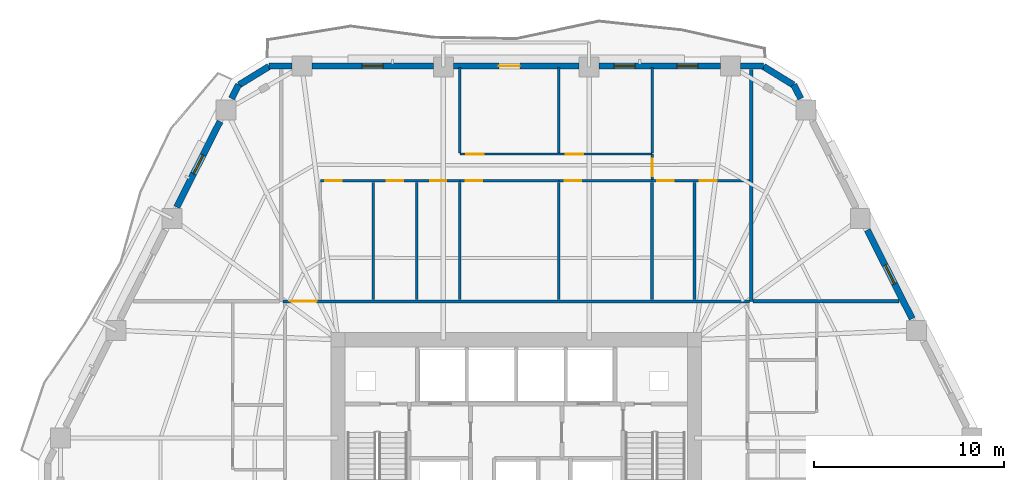
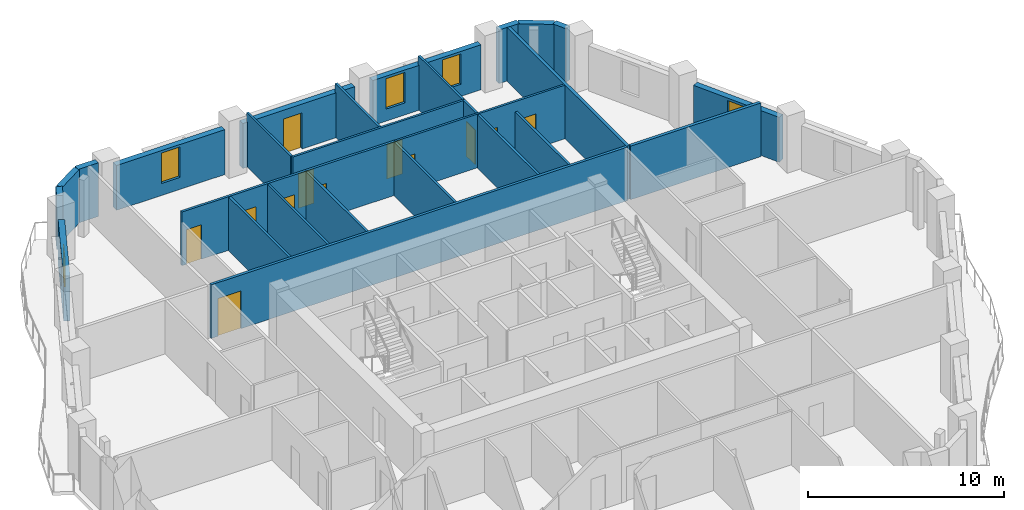
# One storey, part 7 of 12: 28 walls, 12 doors, 5 windows, 17 openings.
"""IFC4 building model written with IfcOpenShell, lengths in metres."""

from ifc_helpers import new_model, si_unit, direction, frame, frame_2d, origin, place, context, subcontext, project, spatial, rectangle, extrude, material, layer, layer_set, type_object, element, fill, save


model = new_model("IFC4")

# Units and contexts
model_context = context("Model", 3, precision=1e-05, world=origin(), true_north=direction((0.0, 1.0)))
body_context = subcontext(model_context, "Body", "Model", "MODEL_VIEW")
ifc_project = project(units=[si_unit("LENGTHUNIT", "METRE"), si_unit("AREAUNIT", "SQUARE_METRE"), si_unit("VOLUMEUNIT", "CUBIC_METRE"), si_unit("PLANEANGLEUNIT", "RADIAN"), si_unit("MASSUNIT", "GRAM", prefix="KILO")], contexts=[model_context])

# Site, building, storey
site_placement = place(None, origin())
site = spatial("IfcSite", under=ifc_project, at=site_placement, CompositionType="ELEMENT")
building_placement = place(site_placement, origin())
building = spatial("IfcBuilding", under=site, at=building_placement, Name="Cinnabar Lancet Tower", CompositionType="ELEMENT")
storey_placement = place(building_placement, frame((0.0, 0.0, 141.0)))
storey = spatial("IfcBuildingStorey", under=building, at=storey_placement, Name="L37", CompositionType="ELEMENT", Elevation=141.0)

# Wall, opening, door
ifc_material_1 = material(Name="Acoustic twin-stud gypsum partition", Category="gypsum")
ifc_layer_1 = layer(ifc_material_1, 0.159912109375)
ifc_layer_set_1 = layer_set([ifc_layer_1], Name="Acoustic twin-stud gypsum partition")
wall_type_1 = type_object("IfcWallType", Name="ARC-WL-CORR-160", PredefinedType="PARTITIONING", material=ifc_layer_set_1)
wall_1_placement = place(storey_placement, frame((20.14501953125, 35.300048828125, 0.0), z_axis=(0.0, 0.0, 1.0), x_axis=(1.0, 0.0, 0.0)))
wall_1 = element("IfcWall", 1, at=wall_1_placement, inside=storey, type_object=wall_type_1, Name="L37 Unit N01 Corridor Wall", PredefinedType="PARTITIONING", context=body_context, shape_type="SweptSolid", body=[
    extrude(rectangle(XDim=24.510009765625, YDim=0.159912109375, at=frame_2d((12.2548828125, 0.0))), origin(), (0.0, 0.0, 1.0), 3.340087890625),
])
opening_1_placement = place(wall_1_placement, frame((0.405029296875, 0.0, 0.0)))
opening_1 = element("IfcOpeningElement", 2, at=opening_1_placement, cuts=wall_1, Name="Opening UD-02", PredefinedType="OPENING", context=body_context, shape_type="SweptSolid", body=[
    extrude(rectangle(XDim=1.35009765625, YDim=2.35009765625, at=frame_2d((0.675048828125, 1.175048828125))), frame((0.0, 0.08984375, 0.0), z_axis=(0.0, -1.0, 0.0), x_axis=(1.0, 0.0, 0.0)), (0.0, 0.0, 1.0), 0.179931640625),
])
ifc_material_2 = material(Name="Double-leaf solid timber penthouse entrance door", Category="wood")
door_type_1 = type_object("IfcDoorType", Name="ARC-DR-UNIT-PH", OperationType="NOTDEFINED", PredefinedType="DOOR", material=ifc_material_2)
door_1_placement = place(opening_1_placement, origin())
door_1 = element("IfcDoor", 3, at=door_1_placement, inside=storey, type_object=door_type_1, Name="DR-L37-N01-ENT", OperationType="SINGLE_SWING_LEFT", OverallHeight=2.35009765625, OverallWidth=1.35009765625, PredefinedType="DOOR", context=body_context, shape_type="SweptSolid", body=[
    extrude(rectangle(XDim=1.35009765625, YDim=2.35009765625, at=frame_2d((0.675048828125, 1.175048828125))), frame((0.0, 0.02490234375, 0.0), z_axis=(0.0, -1.0, 0.0), x_axis=(1.0, 0.0, 0.0)), (0.0, 0.0, 1.0), 0.050048828125),
])
fill(opening_1, door_1)

# Walls
ifc_material_3 = material(Name="Fire-rated twin-frame acoustic drywall", Category="gypsum")
ifc_layer_2 = layer(ifc_material_3, 0.179931640625)
ifc_layer_set_2 = layer_set([ifc_layer_2], Name="Fire-rated twin-frame acoustic drywall")
wall_type_2 = type_object("IfcWallType", Name="ARC-WL-PARTY-180", PredefinedType="PARTITIONING", material=ifc_layer_set_2)
wall_2_placement = place(storey_placement, frame((44.75, 35.300048828125, 0.0), z_axis=(0.0, 0.0, 1.0), x_axis=(0.0, 1.0, 0.0)))
element("IfcWall", 4, at=wall_2_placement, inside=storey, type_object=wall_type_2, Name="PW-L37-NPTY-448", PredefinedType="PARTITIONING", context=body_context, shape_type="SweptSolid", body=[
    extrude(rectangle(XDim=12.195068359375, YDim=0.179931640625, at=frame_2d((6.09765625, 0.0))), origin(), (0.0, 0.0, 1.0), 3.340087890625),
])
wall_3_placement = place(storey_placement, frame((44.844970703125, 35.300048828125, 0.0), z_axis=(0.0, 0.0, 1.0), x_axis=(1.0, 0.0, 0.0)))
element("IfcWall", 5, at=wall_3_placement, inside=storey, type_object=wall_type_2, Name="PW-L37-ENB", PredefinedType="PARTITIONING", context=body_context, shape_type="SweptSolid", body=[
    extrude(rectangle(XDim=7.6689453125, YDim=0.179931640625, at=frame_2d((3.83447265625, 0.0))), origin(), (0.0, 0.0, 1.0), 3.340087890625),
])

# Wall, openings, doors
ifc_material_4 = material(Name="Gypsum plasterboard stud partition", Category="gypsum")
ifc_layer_3 = layer(ifc_material_4, 0.125)
ifc_layer_set_3 = layer_set([ifc_layer_3], Name="Gypsum plasterboard stud partition")
wall_type_3 = type_object("IfcWallType", Name="ARC-WL-UNIT-125", PredefinedType="PARTITIONING", material=ifc_layer_set_3)
wall_4_placement = place(storey_placement, frame((34.64306640625, 41.64111328125, 0.0), z_axis=(0.0, 0.0, 1.0), x_axis=(1.0, 0.0, 0.0)))
wall_4 = element("IfcWall", 6, at=wall_4_placement, inside=storey, type_object=wall_type_3, Name="UW-L37-N01-SP2", PredefinedType="PARTITIONING", context=body_context, shape_type="SweptSolid", body=[
    extrude(rectangle(XDim=10.011962890625, YDim=0.125, at=frame_2d((5.005859375, 0.0))), origin(), (0.0, 0.0, 1.0), 3.340087890625),
])
opening_2_placement = place(wall_4_placement, frame((5.179931640625, 0.0, 0.0)))
opening_2 = element("IfcOpeningElement", 7, at=opening_2_placement, cuts=wall_4, Name="Opening BD-01", PredefinedType="OPENING", context=body_context, shape_type="SweptSolid", body=[
    extrude(rectangle(XDim=0.860107421875, YDim=2.10009765625, at=frame_2d((0.43017578125, 1.050048828125))), frame((0.0, 0.072509765625, 0.0), z_axis=(0.0, -1.0, 0.0), x_axis=(1.0, 0.0, 0.0)), (0.0, 0.0, 1.0), 0.14501953125),
])
opening_3_placement = place(wall_4_placement, frame((7.4130859375, 0.0, 0.0)))
opening_3 = element("IfcOpeningElement", 8, at=opening_3_placement, cuts=wall_4, Name="Opening RD-02", PredefinedType="OPENING", context=body_context, shape_type="SweptSolid", body=[
    extrude(rectangle(XDim=0.8798828125, YDim=2.14990234375, at=frame_2d((0.43994140625, 1.074951171875))), frame((0.0, 0.072509765625, 0.0), z_axis=(0.0, -1.0, 0.0), x_axis=(1.0, 0.0, 0.0)), (0.0, 0.0, 1.0), 0.14501953125),
])
opening_4_placement = place(wall_4_placement, frame((0.300048828125, 0.0, 0.0)))
opening_4 = element("IfcOpeningElement", 9, at=opening_4_placement, cuts=wall_4, Name="Opening RD-02", PredefinedType="OPENING", context=body_context, shape_type="SweptSolid", body=[
    extrude(rectangle(XDim=0.8798828125, YDim=2.14990234375, at=frame_2d((0.43994140625, 1.074951171875))), frame((0.0, 0.072509765625, 0.0), z_axis=(0.0, -1.0, 0.0), x_axis=(1.0, 0.0, 0.0)), (0.0, 0.0, 1.0), 0.14501953125),
])
ifc_material_5 = material(Name="Moisture-resistant timber bathroom door", Category="wood")
door_type_2 = type_object("IfcDoorType", Name="ARC-DR-BATH", OperationType="NOTDEFINED", PredefinedType="DOOR", material=ifc_material_5)
door_2_placement = place(opening_2_placement, origin())
door_2 = element("IfcDoor", 10, at=door_2_placement, inside=storey, type_object=door_type_2, Name="DR-L37-N01-ENS", OperationType="SINGLE_SWING_RIGHT", OverallHeight=2.10009765625, OverallWidth=0.860107421875, PredefinedType="DOOR", context=body_context, shape_type="SweptSolid", body=[
    extrude(rectangle(XDim=0.860107421875, YDim=2.10009765625, at=frame_2d((0.43017578125, 1.050048828125))), frame((0.0, 0.02490234375, 0.0), z_axis=(0.0, -1.0, 0.0), x_axis=(1.0, 0.0, 0.0)), (0.0, 0.0, 1.0), 0.050048828125),
])
fill(opening_2, door_2)
ifc_material_6 = material(Name="Engineered timber study door", Category="wood")
door_type_3 = type_object("IfcDoorType", Name="ARC-DR-STUDY", OperationType="NOTDEFINED", PredefinedType="DOOR", material=ifc_material_6)
door_3_placement = place(opening_3_placement, origin())
door_3 = element("IfcDoor", 11, at=door_3_placement, inside=storey, type_object=door_type_3, Name="DR-L37-N01-ENS-WDR", OperationType="SINGLE_SWING_LEFT", OverallHeight=2.14990234375, OverallWidth=0.8798828125, PredefinedType="DOOR", context=body_context, shape_type="SweptSolid", body=[
    extrude(rectangle(XDim=0.8798828125, YDim=2.14990234375, at=frame_2d((0.43994140625, 1.074951171875))), frame((0.0, 0.02490234375, 0.0), z_axis=(0.0, -1.0, 0.0), x_axis=(1.0, 0.0, 0.0)), (0.0, 0.0, 1.0), 0.050048828125),
])
fill(opening_3, door_3)
door_4_placement = place(opening_4_placement, origin())
door_4 = element("IfcDoor", 12, at=door_4_placement, inside=storey, type_object=door_type_3, Name="DR-L37-N01-DRS", OperationType="SINGLE_SWING_LEFT", OverallHeight=2.14990234375, OverallWidth=0.8798828125, PredefinedType="DOOR", context=body_context, shape_type="SweptSolid", body=[
    extrude(rectangle(XDim=0.8798828125, YDim=2.14990234375, at=frame_2d((0.43994140625, 1.074951171875))), frame((0.0, 0.02490234375, 0.0), z_axis=(0.0, -1.0, 0.0), x_axis=(1.0, 0.0, 0.0)), (0.0, 0.0, 1.0), 0.050048828125),
])
fill(opening_4, door_4)

# Walls
wall_5_placement = place(storey_placement, frame((27.162109375, 35.385009765625, 0.0), z_axis=(0.0, 0.0, 1.0), x_axis=(0.0, 1.0, 0.0)))
element("IfcWall", 13, at=wall_5_placement, inside=storey, type_object=wall_type_3, Name="UW-L37-N01-STD", PredefinedType="PARTITIONING", context=body_context, shape_type="SweptSolid", body=[
    extrude(rectangle(XDim=6.15087890625, YDim=0.125, at=frame_2d((3.075439453125, 0.0))), origin(), (0.0, 0.0, 1.0), 3.340087890625),
])
wall_6_placement = place(storey_placement, frame((29.43603515625, 43.10595703125, 0.0), z_axis=(0.0, 0.0, 1.0), x_axis=(0.0, 1.0, 0.0)))
element("IfcWall", 14, at=wall_6_placement, inside=storey, type_object=wall_type_3, Name="UW-L37-N01-BD2W", PredefinedType="PARTITIONING", context=body_context, shape_type="SweptSolid", body=[
    extrude(rectangle(XDim=4.47900390625, YDim=0.125, at=frame_2d((2.239501953125, 0.0))), origin(), (0.0, 0.0, 1.0), 3.340087890625),
])

# Wall, openings, doors
wall_7_placement = place(storey_placement, frame((29.43603515625, 43.041015625, 0.0), z_axis=(0.0, 0.0, 1.0), x_axis=(1.0, 0.0, 0.0)))
wall_7 = element("IfcWall", 15, at=wall_7_placement, inside=storey, type_object=wall_type_3, Name="UW-L37-N01-HLN", PredefinedType="PARTITIONING", context=body_context, shape_type="SweptSolid", body=[
    extrude(rectangle(XDim=10.10693359375, YDim=0.125, at=frame_2d((5.053466796875, 0.0))), origin(), (0.0, 0.0, 1.0), 3.340087890625),
])
opening_5_placement = place(wall_7_placement, frame((0.35009765625, 0.0, 0.0)))
opening_5 = element("IfcOpeningElement", 16, at=opening_5_placement, cuts=wall_7, Name="Opening RD-01", PredefinedType="OPENING", context=body_context, shape_type="SweptSolid", body=[
    extrude(rectangle(XDim=0.919921875, YDim=2.14990234375, at=frame_2d((0.4599609375, 1.074951171875))), frame((0.0, 0.072509765625, 0.0), z_axis=(0.0, -1.0, 0.0), x_axis=(1.0, 0.0, 0.0)), (0.0, 0.0, 1.0), 0.14501953125),
])
opening_6_placement = place(wall_7_placement, frame((5.556884765625, 0.0, 0.0)))
opening_6 = element("IfcOpeningElement", 17, at=opening_6_placement, cuts=wall_7, Name="Opening RD-01", PredefinedType="OPENING", context=body_context, shape_type="SweptSolid", body=[
    extrude(rectangle(XDim=0.919921875, YDim=2.14990234375, at=frame_2d((0.4599609375, 1.074951171875))), frame((0.0, 0.072509765625, 0.0), z_axis=(0.0, -1.0, 0.0), x_axis=(1.0, 0.0, 0.0)), (0.0, 0.0, 1.0), 0.14501953125),
])
ifc_material_7 = material(Name="Engineered timber bedroom door", Category="wood")
door_type_4 = type_object("IfcDoorType", Name="ARC-DR-ROOM", OperationType="NOTDEFINED", PredefinedType="DOOR", material=ifc_material_7)
door_5_placement = place(opening_5_placement, origin())
door_5 = element("IfcDoor", 18, at=door_5_placement, inside=storey, type_object=door_type_4, Name="DR-L37-N01-BD2", OperationType="SINGLE_SWING_RIGHT", OverallHeight=2.14990234375, OverallWidth=0.919921875, PredefinedType="DOOR", context=body_context, shape_type="SweptSolid", body=[
    extrude(rectangle(XDim=0.919921875, YDim=2.14990234375, at=frame_2d((0.4599609375, 1.074951171875))), frame((0.0, 0.02490234375, 0.0), z_axis=(0.0, -1.0, 0.0), x_axis=(1.0, 0.0, 0.0)), (0.0, 0.0, 1.0), 0.050048828125),
])
fill(opening_5, door_5)
door_6_placement = place(opening_6_placement, origin())
door_6 = element("IfcDoor", 19, at=door_6_placement, inside=storey, type_object=door_type_4, Name="DR-L37-N01-BD3", OperationType="SINGLE_SWING_LEFT", OverallHeight=2.14990234375, OverallWidth=0.919921875, PredefinedType="DOOR", context=body_context, shape_type="SweptSolid", body=[
    extrude(rectangle(XDim=0.919921875, YDim=2.14990234375, at=frame_2d((0.4599609375, 1.074951171875))), frame((0.0, 0.02490234375, 0.0), z_axis=(0.0, -1.0, 0.0), x_axis=(1.0, 0.0, 0.0)), (0.0, 0.0, 1.0), 0.050048828125),
])
fill(opening_6, door_6)

# Wall, opening, door
wall_8_placement = place(storey_placement, frame((39.54296875, 41.7109375, 0.0), z_axis=(0.0, 0.0, 1.0), x_axis=(0.0, 1.0, 0.0)))
wall_8 = element("IfcWall", 20, at=wall_8_placement, inside=storey, type_object=wall_type_3, Name="UW-L37-N01-MBE", PredefinedType="PARTITIONING", context=body_context, shape_type="SweptSolid", body=[
    extrude(rectangle(XDim=1.330078125, YDim=0.125, at=frame_2d((0.6650390625, 0.0))), origin(), (0.0, 0.0, 1.0), 3.340087890625),
])
opening_7_placement = place(wall_8_placement, frame((0.159912109375, 0.0, 0.0)))
opening_7 = element("IfcOpeningElement", 21, at=opening_7_placement, cuts=wall_8, Name="Opening RD-01", PredefinedType="OPENING", context=body_context, shape_type="SweptSolid", body=[
    extrude(rectangle(XDim=0.919921875, YDim=2.14990234375, at=frame_2d((0.4599609375, 1.074951171875))), frame((0.0, 0.072509765625, 0.0), z_axis=(0.0, -1.0, 0.0), x_axis=(1.0, 0.0, 0.0)), (0.0, 0.0, 1.0), 0.14501953125),
])
door_7_placement = place(opening_7_placement, origin())
door_7 = element("IfcDoor", 22, at=door_7_placement, inside=storey, type_object=door_type_4, Name="DR-L37-N01-MBD", OperationType="SINGLE_SWING_RIGHT", OverallHeight=2.14990234375, OverallWidth=0.919921875, PredefinedType="DOOR", context=body_context, shape_type="SweptSolid", body=[
    extrude(rectangle(XDim=0.919921875, YDim=2.14990234375, at=frame_2d((0.4599609375, 1.074951171875))), frame((0.0, 0.02490234375, 0.0), z_axis=(0.0, -1.0, 0.0), x_axis=(1.0, 0.0, 0.0)), (0.0, 0.0, 1.0), 0.050048828125),
])
fill(opening_7, door_7)

# Walls
for number, where, z_axis, x_axis, name in (
    (23, (34.64306640625, 43.10595703125, 0.0), (0.0, 0.0, 1.0), (0.0, 1.0, 0.0), "UW-L37-N01-MB2W"),
    (24, (39.54296875, 43.10595703125, 0.0), (0.0, 0.0, 1.0), (0.0, 1.0, 0.0), "UW-L37-N01-B23W"),
):
    element("IfcWall", number, at=place(storey_placement, frame(where, z_axis=z_axis, x_axis=x_axis)), inside=storey, type_object=wall_type_3, Name=name, PredefinedType="PARTITIONING", context=body_context, shape_type="SweptSolid", body=[
        extrude(rectangle(XDim=4.47900390625, YDim=0.125, at=frame_2d((2.239501953125, 0.0))), origin(), (0.0, 0.0, 1.0), 3.340087890625),
    ])

# Wall, openings, doors
ifc_material_8 = material(Name="Moisture-resistant cement-board plumbing wall", Category="masonry")
ifc_layer_4 = layer(ifc_material_8, 0.139892578125)
ifc_layer_set_4 = layer_set([ifc_layer_4], Name="Moisture-resistant cement-board plumbing wall")
wall_type_4 = type_object("IfcWallType", Name="ARC-WL-WET-140", PredefinedType="PLUMBINGWALL", material=ifc_layer_set_4)
wall_9_placement = place(storey_placement, frame((22.10009765625, 41.64111328125, 0.0), z_axis=(0.0, 0.0, 1.0), x_axis=(1.0, 0.0, 0.0)))
wall_9 = element("IfcWall", 25, at=wall_9_placement, inside=storey, type_object=wall_type_4, Name="UW-L37-N01-SPL", PredefinedType="PLUMBINGWALL", context=body_context, shape_type="SweptSolid", body=[
    extrude(rectangle(XDim=7.3359375, YDim=0.139892578125, at=frame_2d((3.66796875, 0.0))), origin(), (0.0, 0.0, 1.0), 3.340087890625),
])
opening_8_placement = place(wall_9_placement, frame((5.77392578125, 0.0, 0.0)))
opening_8 = element("IfcOpeningElement", 26, at=opening_8_placement, cuts=wall_9, Name="Opening BD-01", PredefinedType="OPENING", context=body_context, shape_type="SweptSolid", body=[
    extrude(rectangle(XDim=0.860107421875, YDim=2.10009765625, at=frame_2d((0.43017578125, 1.050048828125))), frame((0.0, 0.079833984375, 0.0), z_axis=(0.0, -1.0, 0.0), x_axis=(1.0, 0.0, 0.0)), (0.0, 0.0, 1.0), 0.159912109375),
])
opening_9_placement = place(wall_9_placement, frame((0.260009765625, 0.0, 0.0)))
opening_9 = element("IfcOpeningElement", 27, at=opening_9_placement, cuts=wall_9, Name="Opening RD-02", PredefinedType="OPENING", context=body_context, shape_type="SweptSolid", body=[
    extrude(rectangle(XDim=0.8798828125, YDim=2.14990234375, at=frame_2d((0.43994140625, 1.074951171875))), frame((0.0, 0.079833984375, 0.0), z_axis=(0.0, -1.0, 0.0), x_axis=(1.0, 0.0, 0.0)), (0.0, 0.0, 1.0), 0.159912109375),
])
opening_10_placement = place(wall_9_placement, frame((3.485107421875, 0.0, 0.0)))
opening_10 = element("IfcOpeningElement", 28, at=opening_10_placement, cuts=wall_9, Name="Opening RD-02", PredefinedType="OPENING", context=body_context, shape_type="SweptSolid", body=[
    extrude(rectangle(XDim=0.8798828125, YDim=2.14990234375, at=frame_2d((0.43994140625, 1.074951171875))), frame((0.0, 0.079833984375, 0.0), z_axis=(0.0, -1.0, 0.0), x_axis=(1.0, 0.0, 0.0)), (0.0, 0.0, 1.0), 0.159912109375),
])
door_8_placement = place(opening_8_placement, origin())
door_8 = element("IfcDoor", 29, at=door_8_placement, inside=storey, type_object=door_type_2, Name="DR-L37-N01-BTH", OperationType="SINGLE_SWING_RIGHT", OverallHeight=2.10009765625, OverallWidth=0.860107421875, PredefinedType="DOOR", context=body_context, shape_type="SweptSolid", body=[
    extrude(rectangle(XDim=0.860107421875, YDim=2.10009765625, at=frame_2d((0.43017578125, 1.050048828125))), frame((0.0, 0.02490234375, 0.0), z_axis=(0.0, -1.0, 0.0), x_axis=(1.0, 0.0, 0.0)), (0.0, 0.0, 1.0), 0.050048828125),
])
fill(opening_8, door_8)
door_9_placement = place(opening_9_placement, origin())
door_9 = element("IfcDoor", 30, at=door_9_placement, inside=storey, type_object=door_type_3, Name="DR-L37-N01-KIT", OperationType="SINGLE_SWING_RIGHT", OverallHeight=2.14990234375, OverallWidth=0.8798828125, PredefinedType="DOOR", context=body_context, shape_type="SweptSolid", body=[
    extrude(rectangle(XDim=0.8798828125, YDim=2.14990234375, at=frame_2d((0.43994140625, 1.074951171875))), frame((0.0, 0.02490234375, 0.0), z_axis=(0.0, -1.0, 0.0), x_axis=(1.0, 0.0, 0.0)), (0.0, 0.0, 1.0), 0.050048828125),
])
fill(opening_9, door_9)
door_10_placement = place(opening_10_placement, origin())
door_10 = element("IfcDoor", 31, at=door_10_placement, inside=storey, type_object=door_type_3, Name="DR-L37-N01-STD", OperationType="SINGLE_SWING_LEFT", OverallHeight=2.14990234375, OverallWidth=0.8798828125, PredefinedType="DOOR", context=body_context, shape_type="SweptSolid", body=[
    extrude(rectangle(XDim=0.8798828125, YDim=2.14990234375, at=frame_2d((0.43994140625, 1.074951171875))), frame((0.0, 0.02490234375, 0.0), z_axis=(0.0, -1.0, 0.0), x_axis=(1.0, 0.0, 0.0)), (0.0, 0.0, 1.0), 0.050048828125),
])
fill(opening_10, door_10)

# Wall, opening, door
wall_10_placement = place(storey_placement, frame((29.43603515625, 41.64111328125, 0.0), z_axis=(0.0, 0.0, 1.0), x_axis=(1.0, 0.0, 0.0)))
wall_10 = element("IfcWall", 32, at=wall_10_placement, inside=storey, type_object=wall_type_4, Name="UW-L37-N01-SPM", PredefinedType="PLUMBINGWALL", context=body_context, shape_type="SweptSolid", body=[
    extrude(rectangle(XDim=5.20703125, YDim=0.139892578125, at=frame_2d((2.603515625, 0.0))), origin(), (0.0, 0.0, 1.0), 3.340087890625),
])
opening_11_placement = place(wall_10_placement, frame((0.300048828125, 0.0, 0.0)))
opening_11 = element("IfcOpeningElement", 33, at=opening_11_placement, cuts=wall_10, Name="Opening RD-02", PredefinedType="OPENING", context=body_context, shape_type="SweptSolid", body=[
    extrude(rectangle(XDim=0.8798828125, YDim=2.14990234375, at=frame_2d((0.43994140625, 1.074951171875))), frame((0.0, 0.079833984375, 0.0), z_axis=(0.0, -1.0, 0.0), x_axis=(1.0, 0.0, 0.0)), (0.0, 0.0, 1.0), 0.159912109375),
])
door_11_placement = place(opening_11_placement, origin())
door_11 = element("IfcDoor", 34, at=door_11_placement, inside=storey, type_object=door_type_3, Name="DR-L37-N01-UTL", OperationType="SINGLE_SWING_LEFT", OverallHeight=2.14990234375, OverallWidth=0.8798828125, PredefinedType="DOOR", context=body_context, shape_type="SweptSolid", body=[
    extrude(rectangle(XDim=0.8798828125, YDim=2.14990234375, at=frame_2d((0.43994140625, 1.074951171875))), frame((0.0, 0.02490234375, 0.0), z_axis=(0.0, -1.0, 0.0), x_axis=(1.0, 0.0, 0.0)), (0.0, 0.0, 1.0), 0.050048828125),
])
fill(opening_11, door_11)

# Walls
for number, where, z_axis, x_axis, name in (
    (35, (24.887939453125, 35.385009765625, 0.0), (0.0, 0.0, 1.0), (0.0, 1.0, 0.0), "UW-L37-N01-KDV"),
    (36, (29.43603515625, 35.385009765625, 0.0), (0.0, 0.0, 1.0), (0.0, 1.0, 0.0), "UW-L37-N01-ENSW"),
    (37, (34.64306640625, 35.385009765625, 0.0), (0.0, 0.0, 1.0), (0.0, 1.0, 0.0), "UW-L37-N01-ENSE"),
    (38, (39.54296875, 35.385009765625, 0.0), (0.0, 0.0, 1.0), (0.0, 1.0, 0.0), "UW-L37-N01-UT3"),
):
    element("IfcWall", number, at=place(storey_placement, frame(where, z_axis=z_axis, x_axis=x_axis)), inside=storey, type_object=wall_type_4, Name=name, PredefinedType="PLUMBINGWALL", context=body_context, shape_type="SweptSolid", body=[
        extrude(rectangle(XDim=6.15087890625, YDim=0.139892578125, at=frame_2d((3.075439453125, 0.0))), origin(), (0.0, 0.0, 1.0), 3.340087890625),
    ])
wall_11_placement = place(storey_placement, frame((41.77587890625, 35.385009765625, 0.0), z_axis=(0.0, 0.0, 1.0), x_axis=(0.0, 1.0, 0.0)))
element("IfcWall", 39, at=wall_11_placement, inside=storey, type_object=wall_type_4, Name="UW-L37-N01-ENS-WDV", PredefinedType="PLUMBINGWALL", context=body_context, shape_type="SweptSolid", body=[
    extrude(rectangle(XDim=6.1708984375, YDim=0.139892578125, at=frame_2d((3.08544921875, 0.0))), origin(), (0.0, 0.0, 1.0), 2.721923828125),
])
ifc_material_9 = material(Name="Cinnabar red clay brick", Category="masonry")
ifc_layer_5 = layer(ifc_material_9, 0.340087890625)
ifc_layer_set_5 = layer_set([ifc_layer_5], Name="Cinnabar red clay brick")
wall_type_5 = type_object("IfcWallType", Name="ENV-WL-BRK-RED-340", PredefinedType="STANDARD", material=ifc_layer_set_5)
for number, where, z_axis, x_axis, name in (
    (40, (46.970947265625, 46.677001953125, 0.0), (0.0, 0.0, 1.0), (-0.851798915137, 0.523868884523, 0.0), "L37 Chamfered Corner Brick Pier 4.1"),
    (41, (19.403076171875, 47.64501953125, 0.0), (0.0, 0.0, 1.0), (-0.851798915137, -0.523868884523, 0.0), "L37 Chamfered Corner Brick Pier 5.1"),
):
    element("IfcWall", number, at=place(storey_placement, frame(where, z_axis=z_axis, x_axis=x_axis)), inside=storey, type_object=wall_type_5, Name=name, PredefinedType="STANDARD", context=body_context, shape_type="SweptSolid", body=[
        extrude(rectangle(XDim=1.847900390625, YDim=0.340087890625, at=frame_2d((0.923828125, 0.0))), origin(), (0.0, 0.0, 1.0), 3.340087890625),
    ])

# Wall, opening, window
wall_12_placement = place(storey_placement, frame((53.219970703125, 34.382080078125, 0.0), z_axis=(0.0, 0.0, 1.0), x_axis=(-0.451567731634, 0.892236842855, 0.0)))
wall_12 = element("IfcWall", 42, at=wall_12_placement, inside=storey, type_object=wall_type_5, Name="L37 Face 3 Masonry Bay Wall 3", PredefinedType="STANDARD", context=body_context, shape_type="SweptSolid", body=[
    extrude(rectangle(XDim=5.219482421875, YDim=0.340087890625, at=frame_2d((2.60986328125, 0.0))), origin(), (0.0, 0.0, 1.0), 2.797119140625),
])
opening_12_placement = place(wall_12_placement, frame((2.06005859375, 0.0, 0.75)))
opening_12 = element("IfcOpeningElement", 43, at=opening_12_placement, cuts=wall_12, Name="Opening WN-04", PredefinedType="OPENING", context=body_context, shape_type="SweptSolid", body=[
    extrude(rectangle(XDim=1.10009765625, YDim=1.89697265625, at=frame_2d((0.550048828125, 0.948486328125))), frame((0.0, 0.179931640625, 0.0), z_axis=(0.0, -1.0, 0.0), x_axis=(1.0, 0.0, 0.0)), (0.0, 0.0, 1.0), 0.360107421875),
])
ifc_material_10 = material(Name="Thermally broken bronze-anodized aluminium tall lancet window", Category="aluminium")
window_type = type_object("IfcWindowType", Name="ENV-WN-LANCET-1100", PartitioningType="SINGLE_PANEL", PredefinedType="WINDOW", material=ifc_material_10)
window_1_placement = place(opening_12_placement, origin())
window_1 = element("IfcWindow", 44, at=window_1_placement, inside=storey, type_object=window_type, Name="L37 Face 3 Gothic Lancet Window 3", OverallHeight=1.89697265625, OverallWidth=1.10009765625, PartitioningType="SINGLE_PANEL", PredefinedType="WINDOW", context=body_context, shape_type="SweptSolid", body=[
    extrude(rectangle(XDim=1.10009765625, YDim=1.89697265625, at=frame_2d((0.550048828125, 0.948486328125))), frame((0.0, 0.030029296875, 0.0), z_axis=(0.0, -1.0, 0.0), x_axis=(1.0, 0.0, 0.0)), (0.0, 0.0, 1.0), 0.06005859375),
])
fill(opening_12, window_1)

# Walls
wall_13_placement = place(storey_placement, frame((47.362060546875, 45.9599609375, 0.0), z_axis=(0.0, 0.0, 1.0), x_axis=(-0.45160540153, 0.89221777684, 0.0)))
element("IfcWall", 45, at=wall_13_placement, inside=storey, type_object=wall_type_5, Name="L37 Face 3 Masonry Bay Wall 5", PredefinedType="STANDARD", context=body_context, shape_type="SweptSolid", body=[
    extrude(rectangle(XDim=0.82177734375, YDim=0.340087890625, at=frame_2d((0.410888671875, 0.0))), origin(), (0.0, 0.0, 1.0), 3.340087890625),
])
wall_14_placement = place(storey_placement, frame((45.402099609375, 47.669921875, 0.0), z_axis=(0.0, 0.0, 1.0), x_axis=(-1.0, 0.0, 0.0)))
element("IfcWall", 46, at=wall_14_placement, inside=storey, type_object=wall_type_5, Name="L37 Face 4 Masonry Bay Wall 1", PredefinedType="STANDARD", context=body_context, shape_type="SweptSolid", body=[
    extrude(rectangle(XDim=1.2041015625, YDim=0.340087890625, at=frame_2d((0.60205078125, 0.0))), origin(), (0.0, 0.0, 1.0), 3.340087890625),
])

# Wall, openings, windows
wall_15_placement = place(storey_placement, frame((43.139892578125, 47.669921875, 0.0), z_axis=(0.0, 0.0, 1.0), x_axis=(-1.0, 0.0, 0.0)))
wall_15 = element("IfcWall", 47, at=wall_15_placement, inside=storey, type_object=wall_type_5, Name="L37 Face 4 Masonry Bay Wall 2", PredefinedType="STANDARD", context=body_context, shape_type="SweptSolid", body=[
    extrude(rectangle(XDim=6.37890625, YDim=0.340087890625, at=frame_2d((3.189453125, 0.0))), origin(), (0.0, 0.0, 1.0), 2.797119140625),
])
opening_13_placement = place(wall_15_placement, frame((1.19189453125, 0.0, 0.75)))
opening_13 = element("IfcOpeningElement", 48, at=opening_13_placement, cuts=wall_15, Name="Opening WN-04", PredefinedType="OPENING", context=body_context, shape_type="SweptSolid", body=[
    extrude(rectangle(XDim=1.10009765625, YDim=1.89697265625, at=frame_2d((0.550048828125, 0.948486328125))), frame((0.0, 0.179931640625, 0.0), z_axis=(0.0, -1.0, 0.0), x_axis=(1.0, 0.0, 0.0)), (0.0, 0.0, 1.0), 0.360107421875),
])
opening_14_placement = place(wall_15_placement, frame((4.493896484375, 0.0, 0.75)))
opening_14 = element("IfcOpeningElement", 49, at=opening_14_placement, cuts=wall_15, Name="Opening WN-04", PredefinedType="OPENING", context=body_context, shape_type="SweptSolid", body=[
    extrude(rectangle(XDim=1.10009765625, YDim=1.89697265625, at=frame_2d((0.550048828125, 0.948486328125))), frame((0.0, 0.179931640625, 0.0), z_axis=(0.0, -1.0, 0.0), x_axis=(1.0, 0.0, 0.0)), (0.0, 0.0, 1.0), 0.360107421875),
])
window_2_placement = place(opening_13_placement, origin())
window_2 = element("IfcWindow", 50, at=window_2_placement, inside=storey, type_object=window_type, Name="L37 Face 4 Gothic Lancet Window 2", OverallHeight=1.89697265625, OverallWidth=1.10009765625, PartitioningType="SINGLE_PANEL", PredefinedType="WINDOW", context=body_context, shape_type="SweptSolid", body=[
    extrude(rectangle(XDim=1.10009765625, YDim=1.89697265625, at=frame_2d((0.550048828125, 0.948486328125))), frame((0.0, 0.030029296875, 0.0), z_axis=(0.0, -1.0, 0.0), x_axis=(1.0, 0.0, 0.0)), (0.0, 0.0, 1.0), 0.06005859375),
])
fill(opening_13, window_2)
window_3_placement = place(opening_14_placement, origin())
window_3 = element("IfcWindow", 51, at=window_3_placement, inside=storey, type_object=window_type, Name="L37 Split-Bay Gothic Lancet Window 108", OverallHeight=1.89697265625, OverallWidth=1.10009765625, PartitioningType="SINGLE_PANEL", PredefinedType="WINDOW", context=body_context, shape_type="SweptSolid", body=[
    extrude(rectangle(XDim=1.10009765625, YDim=1.89697265625, at=frame_2d((0.550048828125, 0.948486328125))), frame((0.0, 0.030029296875, 0.0), z_axis=(0.0, -1.0, 0.0), x_axis=(1.0, 0.0, 0.0)), (0.0, 0.0, 1.0), 0.06005859375),
])
fill(opening_14, window_3)

# Wall, opening, door
wall_16_placement = place(storey_placement, frame((35.702880859375, 47.669921875, 0.0), z_axis=(0.0, 0.0, 1.0), x_axis=(-1.0, 0.0, 0.0)))
wall_16 = element("IfcWall", 52, at=wall_16_placement, inside=storey, type_object=wall_type_5, Name="L37 Face 4 Masonry Bay Wall 3", PredefinedType="STANDARD", context=body_context, shape_type="SweptSolid", body=[
    extrude(rectangle(XDim=6.60595703125, YDim=0.340087890625, at=frame_2d((3.302978515625, 0.0))), origin(), (0.0, 0.0, 1.0), 2.797119140625),
])
opening_15_placement = place(wall_16_placement, frame((3.114013671875, 0.0, 0.0)))
opening_15 = element("IfcOpeningElement", 53, at=opening_15_placement, cuts=wall_16, Name="Opening TD-01", PredefinedType="OPENING", context=body_context, shape_type="SweptSolid", body=[
    extrude(rectangle(XDim=1.10009765625, YDim=2.25, at=frame_2d((0.550048828125, 1.125))), frame((0.0, 0.179931640625, 0.0), z_axis=(0.0, -1.0, 0.0), x_axis=(1.0, 0.0, 0.0)), (0.0, 0.0, 1.0), 0.360107421875),
])
ifc_material_11 = material(Name="Thermally broken low-E glazed balcony terrace door", Category="wood")
door_type_5 = type_object("IfcDoorType", Name="ARC-DR-BALC", OperationType="NOTDEFINED", PredefinedType="DOOR", material=ifc_material_11)
door_12_placement = place(opening_15_placement, origin())
door_12 = element("IfcDoor", 54, at=door_12_placement, inside=storey, type_object=door_type_5, Name="L37 Face 4 Glazed Terrace Door", OperationType="SINGLE_SWING_RIGHT", OverallHeight=2.25, OverallWidth=1.10009765625, PredefinedType="DOOR", context=body_context, shape_type="SweptSolid", body=[
    extrude(rectangle(XDim=1.10009765625, YDim=2.25, at=frame_2d((0.550048828125, 1.125))), frame((0.0, 0.02490234375, 0.0), z_axis=(0.0, -1.0, 0.0), x_axis=(1.0, 0.0, 0.0)), (0.0, 0.0, 1.0), 0.050048828125),
])
fill(opening_15, door_12)

# Wall, opening, window
wall_17_placement = place(storey_placement, frame((28.0390625, 47.669921875, 0.0), z_axis=(0.0, 0.0, 1.0), x_axis=(-1.0, 0.0, 0.0)))
wall_17 = element("IfcWall", 55, at=wall_17_placement, inside=storey, type_object=wall_type_5, Name="L37 Face 4 Masonry Bay Wall 4", PredefinedType="STANDARD", context=body_context, shape_type="SweptSolid", body=[
    extrude(rectangle(XDim=6.379150390625, YDim=0.340087890625, at=frame_2d((3.189453125, 0.0))), origin(), (0.0, 0.0, 1.0), 2.797119140625),
])
opening_16_placement = place(wall_17_placement, frame((2.639892578125, 0.0, 0.75)))
opening_16 = element("IfcOpeningElement", 56, at=opening_16_placement, cuts=wall_17, Name="Opening WN-04", PredefinedType="OPENING", context=body_context, shape_type="SweptSolid", body=[
    extrude(rectangle(XDim=1.10009765625, YDim=1.89697265625, at=frame_2d((0.550048828125, 0.948486328125))), frame((0.0, 0.179931640625, 0.0), z_axis=(0.0, -1.0, 0.0), x_axis=(1.0, 0.0, 0.0)), (0.0, 0.0, 1.0), 0.360107421875),
])
window_4_placement = place(opening_16_placement, origin())
window_4 = element("IfcWindow", 57, at=window_4_placement, inside=storey, type_object=window_type, Name="L37 Face 4 Gothic Lancet Window 4", OverallHeight=1.89697265625, OverallWidth=1.10009765625, PartitioningType="SINGLE_PANEL", PredefinedType="WINDOW", context=body_context, shape_type="SweptSolid", body=[
    extrude(rectangle(XDim=1.10009765625, YDim=1.89697265625, at=frame_2d((0.550048828125, 0.948486328125))), frame((0.0, 0.030029296875, 0.0), z_axis=(0.0, -1.0, 0.0), x_axis=(1.0, 0.0, 0.0)), (0.0, 0.0, 1.0), 0.06005859375),
])
fill(opening_16, window_4)

# Walls
wall_18_placement = place(storey_placement, frame((20.60205078125, 47.669921875, 0.0), z_axis=(0.0, 0.0, 1.0), x_axis=(-1.0, 0.0, 0.0)))
element("IfcWall", 58, at=wall_18_placement, inside=storey, type_object=wall_type_5, Name="L37 Face 4 Masonry Bay Wall 5", PredefinedType="STANDARD", context=body_context, shape_type="SweptSolid", body=[
    extrude(rectangle(XDim=1.2041015625, YDim=0.340087890625, at=frame_2d((0.60205078125, 0.0))), origin(), (0.0, 0.0, 1.0), 3.340087890625),
])
wall_19_placement = place(storey_placement, frame((17.80908203125, 46.693115234375, 0.0), z_axis=(0.0, 0.0, 1.0), x_axis=(-0.45160540153, -0.89221777684, 0.0)))
element("IfcWall", 59, at=wall_19_placement, inside=storey, type_object=wall_type_5, Name="L37 Face 5 Masonry Bay Wall 1", PredefinedType="STANDARD", context=body_context, shape_type="SweptSolid", body=[
    extrude(rectangle(XDim=0.82177734375, YDim=0.340087890625, at=frame_2d((0.410888671875, 0.0))), origin(), (0.0, 0.0, 1.0), 3.340087890625),
])

# Wall, opening, window
wall_20_placement = place(storey_placement, frame((16.824951171875, 44.748046875, 0.0), z_axis=(0.0, 0.0, 1.0), x_axis=(-0.451548465867, -0.892246593142, 0.0)))
wall_20 = element("IfcWall", 60, at=wall_20_placement, inside=storey, type_object=wall_type_5, Name="L37 Face 5 Masonry Bay Wall 2", PredefinedType="STANDARD", context=body_context, shape_type="SweptSolid", body=[
    extrude(rectangle(XDim=5.040283203125, YDim=0.340087890625, at=frame_2d((2.52001953125, 0.0))), origin(), (0.0, 0.0, 1.0), 2.797119140625),
])
opening_17_placement = place(wall_20_placement, frame((1.969970703125, 0.0, 0.75)))
opening_17 = element("IfcOpeningElement", 61, at=opening_17_placement, cuts=wall_20, Name="Opening WN-04", PredefinedType="OPENING", context=body_context, shape_type="SweptSolid", body=[
    extrude(rectangle(XDim=1.10009765625, YDim=1.89697265625, at=frame_2d((0.550048828125, 0.948486328125))), frame((0.0, 0.179931640625, 0.0), z_axis=(0.0, -1.0, 0.0), x_axis=(1.0, 0.0, 0.0)), (0.0, 0.0, 1.0), 0.360107421875),
])
window_5_placement = place(opening_17_placement, origin())
window_5 = element("IfcWindow", 62, at=window_5_placement, inside=storey, type_object=window_type, Name="L37 Face 5 Gothic Lancet Window 2", OverallHeight=1.89697265625, OverallWidth=1.10009765625, PartitioningType="SINGLE_PANEL", PredefinedType="WINDOW", context=body_context, shape_type="SweptSolid", body=[
    extrude(rectangle(XDim=1.10009765625, YDim=1.89697265625, at=frame_2d((0.550048828125, 0.948486328125))), frame((0.0, 0.030029296875, 0.0), z_axis=(0.0, -1.0, 0.0), x_axis=(1.0, 0.0, 0.0)), (0.0, 0.0, 1.0), 0.06005859375),
])
fill(opening_17, window_5)

save(model, "model.ifc")
